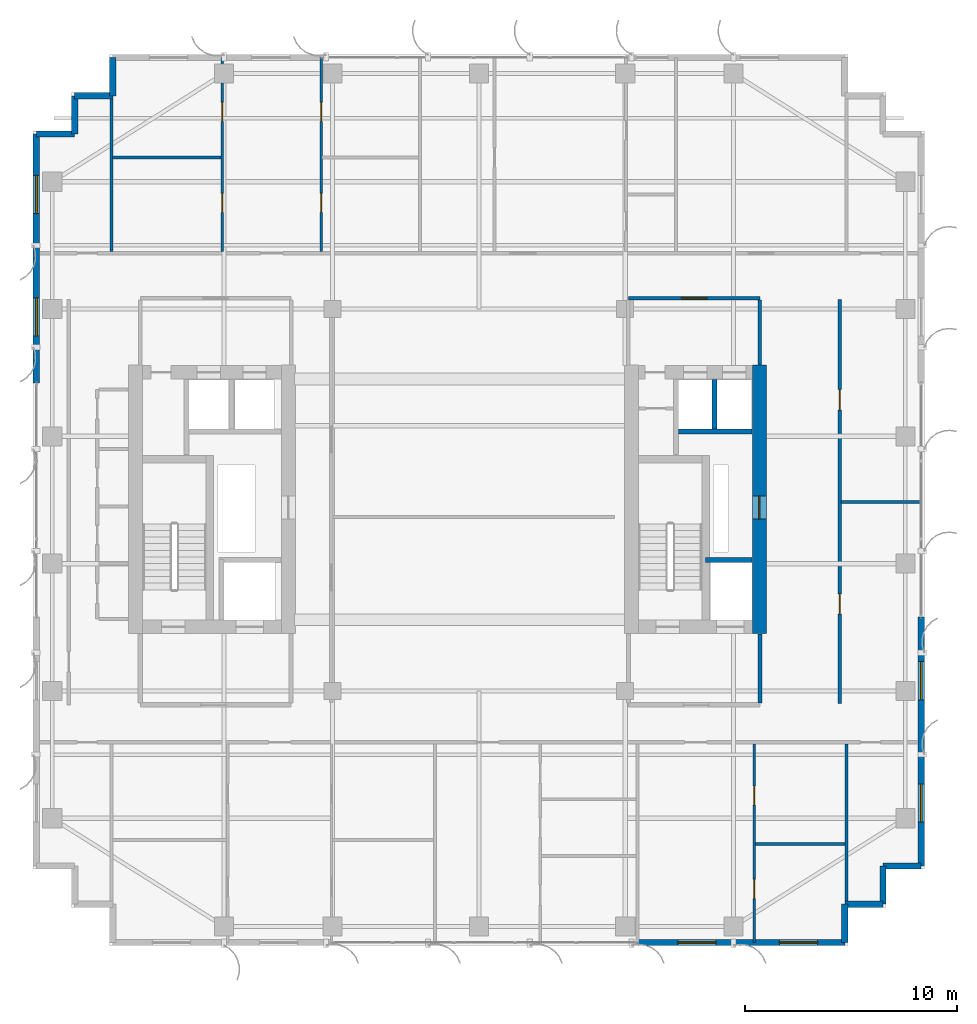
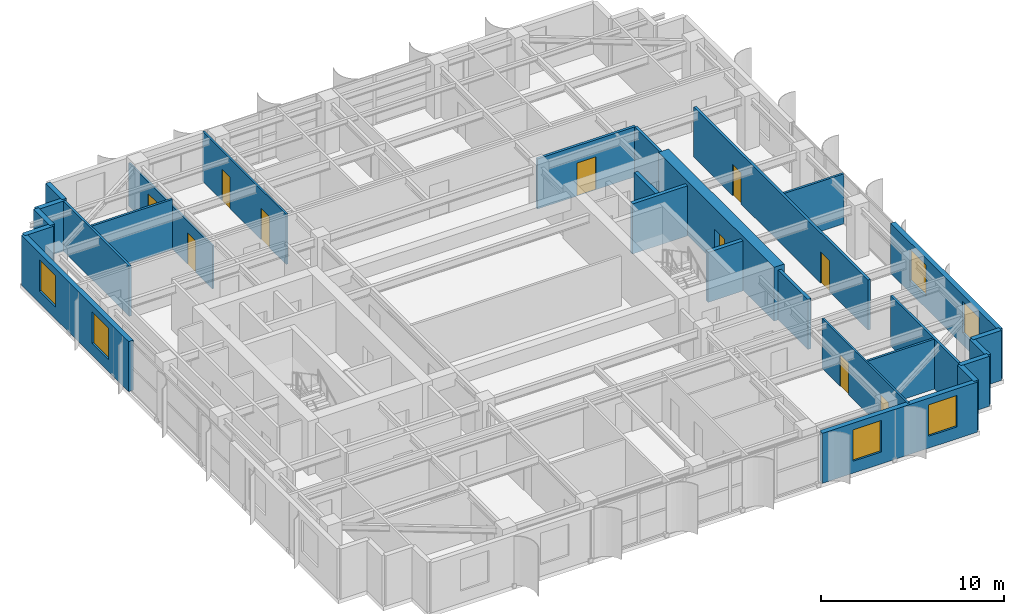
# One storey, part 21 of 25: 27 walls, 10 doors, 6 windows, 16 openings.
"""IFC4 building model written with IfcOpenShell, lengths in metres."""

from ifc_helpers import new_model, si_unit, direction, frame, frame_2d, origin, place, context, subcontext, project, spatial, rectangle, extrude, source, transform, mapped, material, layer, layer_set, type_object, element, fill, save


model = new_model("IFC4")

# Units and contexts
model_context = context("Model", 3, precision=1e-05, world=origin(), true_north=direction((0.0, 1.0)))
body_context = subcontext(model_context, "Body", "Model", "MODEL_VIEW")
ifc_project = project(units=[si_unit("LENGTHUNIT", "METRE"), si_unit("AREAUNIT", "SQUARE_METRE"), si_unit("VOLUMEUNIT", "CUBIC_METRE"), si_unit("PLANEANGLEUNIT", "RADIAN"), si_unit("MASSUNIT", "GRAM", prefix="KILO")], contexts=[model_context])

# Site, building, storey
site_placement = place(None, origin())
site = spatial("IfcSite", under=ifc_project, at=site_placement, CompositionType="ELEMENT")
building_placement = place(site_placement, origin())
building = spatial("IfcBuilding", under=site, at=building_placement, Name="Khoralis Quay Care Tower", CompositionType="ELEMENT")
storey_placement = place(building_placement, frame((0.0, 0.0, 166.5)))
storey = spatial("IfcBuildingStorey", under=building, at=storey_placement, Name="L43", CompositionType="ELEMENT", Elevation=166.5)

# Wall
ifc_material_1 = material(Name="Gypsum plasterboard on acoustic metal stud")
ifc_layer_1 = layer(ifc_material_1, 0.199951171875)
ifc_layer_set_1 = layer_set([ifc_layer_1], Name="Gypsum plasterboard on acoustic metal stud")
wall_type_1 = type_object("IfcWallType", Name="WL-COMP-200", PredefinedType="PARTITIONING", material=ifc_layer_set_1)
wall_1_placement = place(storey_placement, frame((37.25, 11.445068359375, 0.0), z_axis=(0.0, 0.0, 1.0), x_axis=(0.0, 1.0, 0.0)))
element("IfcWall", 1, at=wall_1_placement, inside=storey, type_object=wall_type_1, Name="L43 East Firefighting Lobby East Wall", PredefinedType="PARTITIONING", context=body_context, shape_type="SweptSolid", body=[
    extrude(rectangle(XDim=3.23486328125, YDim=0.199951171875, at=frame_2d((1.617431640625, 0.0))), origin(), (0.0, 0.0, 1.0), 3.340087890625),
])

# Wall, opening, door
ifc_material_2 = material(Name="Concrete C65/80", Category="concrete")
ifc_layer_2 = layer(ifc_material_2, 0.64990234375)
ifc_layer_set_2 = layer_set([ifc_layer_2], Name="Concrete C65/80")
wall_type_2 = type_object("IfcWallType", Name="WL-CORE-650", PredefinedType="SHEAR", material=ifc_layer_set_2)
wall_2_placement = place(storey_placement, frame((37.22509765625, 14.699951171875, 0.0), z_axis=(0.0, 0.0, 1.0), x_axis=(0.0, 1.0, 0.0)))
wall_2 = element("IfcWall", 2, at=wall_2_placement, inside=storey, type_object=wall_type_2, Name="L43 ECORE East Shear Wall", PredefinedType="SHEAR", context=body_context, shape_type="SweptSolid", body=[
    extrude(rectangle(XDim=12.650146484375, YDim=0.64990234375, at=frame_2d((6.3251953125, 0.0))), origin(), (0.0, 0.0, 1.0), 3.60009765625),
])
opening_1_placement = place(wall_2_placement, frame((5.39990234375, 0.0, 0.0)))
opening_1 = element("IfcOpeningElement", 3, at=opening_1_placement, cuts=wall_2, Name="Opening SD1", PredefinedType="OPENING", context=body_context, shape_type="SweptSolid", body=[
    extrude(rectangle(XDim=1.10009765625, YDim=2.199951171875, at=frame_2d((0.550048828125, 1.10009765625))), frame((0.0, 0.3349609375, 0.0), z_axis=(0.0, -1.0, 0.0), x_axis=(1.0, 0.0, 0.0)), (0.0, 0.0, 1.0), 0.669921875),
])
ifc_material_3 = material(Name="Fire-rated painted steel", Category="steel")
door_type_1 = type_object("IfcDoorType", Name="DR-STAIR-1100X2200", OperationType="NOTDEFINED", PredefinedType="DOOR", material=ifc_material_3)
shared_shape_1 = source(origin(), body_context, "Body", "SweptSolid", [
    extrude(rectangle(XDim=1.10009765625, YDim=2.199951171875, at=frame_2d((0.550048828125, 1.10009765625))), frame((0.0, 0.02490234375, 0.0), z_axis=(0.0, -1.0, 0.0), x_axis=(1.0, 0.0, 0.0)), (0.0, 0.0, 1.0), 0.050048828125),
])
door_1_placement = place(opening_1_placement, frame((1.10009765625, 0.0, 0.0), z_axis=(0.0, 0.0, 1.0), x_axis=(-1.0, 0.0, 0.0)))
door_1 = element("IfcDoor", 4, at=door_1_placement, inside=storey, type_object=door_type_1, Name="L43 East MEP Riser Door", OperationType="SINGLE_SWING_RIGHT", OverallHeight=2.199951171875, OverallWidth=1.10009765625, PredefinedType="DOOR", context=body_context, shape_type="MappedRepresentation", body=[
    mapped(shared_shape_1, transform((0.0, 0.0, 0.0), scale=1.0)),
])
fill(opening_1, door_1)

ifc_layer_3 = layer(ifc_material_1, 0.1650390625)
ifc_layer_set_3 = layer_set([ifc_layer_3], Name="Gypsum plasterboard on acoustic metal stud")
wall_type_3 = type_object("IfcWallType", Name="WL-CORR-165", PredefinedType="PARTITIONING", material=ifc_layer_set_3)
wall_3_placement = place(storey_placement, frame((31.050048828125, 30.5, 0.0), z_axis=(0.0, 0.0, 1.0), x_axis=(1.0, 0.0, 0.0)))
wall_3 = element("IfcWall", 5, at=wall_3_placement, inside=storey, type_object=wall_type_3, Name="L43 East Lift Lobby North Wall", PredefinedType="PARTITIONING", context=body_context, shape_type="SweptSolid", body=[
    extrude(rectangle(XDim=6.199951171875, YDim=0.1650390625, at=frame_2d((3.10009765625, 0.0))), origin(), (0.0, 0.0, 1.0), 3.340087890625),
])
opening_2_placement = place(wall_3_placement, frame((2.5, 0.0, 0.0)))
opening_2 = element("IfcOpeningElement", 6, at=opening_2_placement, cuts=wall_3, Name="Opening FD1", PredefinedType="OPENING", context=body_context, shape_type="SweptSolid", body=[
    extrude(rectangle(XDim=1.199951171875, YDim=2.199951171875, at=frame_2d((0.60009765625, 1.10009765625))), frame((0.0, 0.092529296875, 0.0), z_axis=(0.0, -1.0, 0.0), x_axis=(1.0, 0.0, 0.0)), (0.0, 0.0, 1.0), 0.18505859375),
])
door_type_2 = type_object("IfcDoorType", Name="DR-FFL-1200X2200", OperationType="NOTDEFINED", PredefinedType="DOOR", material=ifc_material_3)
shared_shape_2 = source(origin(), body_context, "Body", "SweptSolid", [
    extrude(rectangle(XDim=1.199951171875, YDim=2.199951171875, at=frame_2d((0.60009765625, 1.10009765625))), frame((0.0, 0.02490234375, 0.0), z_axis=(0.0, -1.0, 0.0), x_axis=(1.0, 0.0, 0.0)), (0.0, 0.0, 1.0), 0.050048828125),
])
door_2_placement = place(opening_2_placement, origin())
door_2 = element("IfcDoor", 7, at=door_2_placement, inside=storey, type_object=door_type_2, Name="L43 East Lift Lobby Double Door", OperationType="DOUBLE_DOOR_SINGLE_SWING", OverallHeight=2.199951171875, OverallWidth=1.199951171875, PredefinedType="DOOR", context=body_context, shape_type="MappedRepresentation", body=[
    mapped(shared_shape_2, transform((0.0, 0.0, 0.0), scale=1.0)),
])
fill(opening_2, door_2)

# Wall
wall_4_placement = place(storey_placement, frame((37.25, 27.3701171875, 0.0), z_axis=(0.0, 0.0, 1.0), x_axis=(0.0, 1.0, 0.0)))
element("IfcWall", 8, at=wall_4_placement, inside=storey, type_object=wall_type_3, Name="L43 East Lift Lobby East Wall", PredefinedType="PARTITIONING", context=body_context, shape_type="SweptSolid", body=[
    extrude(rectangle(XDim=3.052490234375, YDim=0.1650390625, at=frame_2d((1.5263671875, 0.0))), origin(), (0.0, 0.0, 1.0), 3.340087890625),
])

# Wall, openings, doors
wall_5_placement = place(storey_placement, frame((41.0, 11.39990234375, 0.0), z_axis=(0.0, 0.0, 1.0), x_axis=(0.0, 1.0, 0.0)))
wall_5 = element("IfcWall", 9, at=wall_5_placement, inside=storey, type_object=wall_type_3, Name="L43 East Gallery Wall", PredefinedType="PARTITIONING", context=body_context, shape_type="SweptSolid", body=[
    extrude(rectangle(XDim=19.050048828125, YDim=0.1650390625, at=frame_2d((9.52490234375, 0.0))), origin(), (0.0, 0.0, 1.0), 3.340087890625),
])
opening_3_placement = place(wall_5_placement, frame((4.22509765625, 0.0, 0.0)))
opening_3 = element("IfcOpeningElement", 10, at=opening_3_placement, cuts=wall_5, Name="Opening ID1", PredefinedType="OPENING", context=body_context, shape_type="SweptSolid", body=[
    extrude(rectangle(XDim=0.949951171875, YDim=2.10009765625, at=frame_2d((0.47509765625, 1.050048828125))), frame((0.0, 0.092529296875, 0.0), z_axis=(0.0, -1.0, 0.0), x_axis=(1.0, 0.0, 0.0)), (0.0, 0.0, 1.0), 0.18505859375),
])
opening_4_placement = place(wall_5_placement, frame((13.85009765625, 0.0, 0.0)))
opening_4 = element("IfcOpeningElement", 11, at=opening_4_placement, cuts=wall_5, Name="Opening ID1", PredefinedType="OPENING", context=body_context, shape_type="SweptSolid", body=[
    extrude(rectangle(XDim=0.949951171875, YDim=2.10009765625, at=frame_2d((0.47509765625, 1.050048828125))), frame((0.0, 0.092529296875, 0.0), z_axis=(0.0, -1.0, 0.0), x_axis=(1.0, 0.0, 0.0)), (0.0, 0.0, 1.0), 0.18505859375),
])
ifc_material_4 = material(Name="Acoustic hardwood timber", Category="wood")
door_type_3 = type_object("IfcDoorType", Name="DR-ROOM-950X2100", OperationType="NOTDEFINED", PredefinedType="DOOR", material=ifc_material_4)
shared_shape_3 = source(origin(), body_context, "Body", "SweptSolid", [
    extrude(rectangle(XDim=0.949951171875, YDim=2.10009765625, at=frame_2d((0.47509765625, 1.050048828125))), frame((0.0, 0.02490234375, 0.0), z_axis=(0.0, -1.0, 0.0), x_axis=(1.0, 0.0, 0.0)), (0.0, 0.0, 1.0), 0.050048828125),
])
door_3_placement = place(opening_3_placement, origin())
door_3 = element("IfcDoor", 12, at=door_3_placement, inside=storey, type_object=door_type_3, Name="L43 East Clinic Door", OperationType="SINGLE_SWING_LEFT", OverallHeight=2.10009765625, OverallWidth=0.949951171875, PredefinedType="DOOR", context=body_context, shape_type="MappedRepresentation", body=[
    mapped(shared_shape_3, transform((0.0, 0.0, 0.0), scale=1.0)),
])
fill(opening_3, door_3)
door_4_placement = place(opening_4_placement, origin())
door_4 = element("IfcDoor", 13, at=door_4_placement, inside=storey, type_object=door_type_3, Name="L43 East Lounge Door", OperationType="SINGLE_SWING_RIGHT", OverallHeight=2.10009765625, OverallWidth=0.949951171875, PredefinedType="DOOR", context=body_context, shape_type="MappedRepresentation", body=[
    mapped(shared_shape_3, transform((0.0, 0.0, 0.0), scale=1.0)),
])
fill(opening_4, door_4)

# Wall, openings, windows
ifc_material_5 = material(Name="Precast concrete C45/55", Category="concrete")
ifc_layer_4 = layer(ifc_material_5, 0.300048828125)
ifc_layer_set_4 = layer_set([ifc_layer_4], Name="Precast concrete C45/55")
wall_type_4 = type_object("IfcWallType", Name="WL-EXT-REF-300", PredefinedType="SOLIDWALL", material=ifc_layer_set_4)
wall_6_placement = place(storey_placement, frame((31.469970703125, 0.14990234375, 0.0), z_axis=(0.0, 0.0, 1.0), x_axis=(1.0, 0.0, 0.0)))
wall_6 = element("IfcWall", 14, at=wall_6_placement, inside=storey, type_object=wall_type_4, Name="L43 External Facade Wall WL-EXT-L43-P1-E0B", PredefinedType="SOLIDWALL", context=body_context, shape_type="SweptSolid", body=[
    extrude(rectangle(XDim=9.780029296875, YDim=0.300048828125, at=frame_2d((4.89013671875, 0.0))), origin(), (0.0, 0.0, 1.0), 3.340087890625),
])
opening_5_placement = place(wall_6_placement, frame((1.907958984375, 0.0, 0.800048828125)))
opening_5 = element("IfcOpeningElement", 15, at=opening_5_placement, cuts=wall_6, Name="Opening W2", PredefinedType="OPENING", context=body_context, shape_type="SweptSolid", body=[
    extrude(rectangle(XDim=1.800048828125, YDim=2.10009765625, at=frame_2d((0.89990234375, 1.050048828125))), frame((0.0, 0.16015625, 0.0), z_axis=(0.0, -1.0, 0.0), x_axis=(1.0, 0.0, 0.0)), (0.0, 0.0, 1.0), 0.320068359375),
])
opening_6_placement = place(wall_6_placement, frame((6.697998046875, 0.0, 0.800048828125)))
opening_6 = element("IfcOpeningElement", 16, at=opening_6_placement, cuts=wall_6, Name="Opening W2", PredefinedType="OPENING", context=body_context, shape_type="SweptSolid", body=[
    extrude(rectangle(XDim=1.800048828125, YDim=2.10009765625, at=frame_2d((0.89990234375, 1.050048828125))), frame((0.0, 0.16015625, 0.0), z_axis=(0.0, -1.0, 0.0), x_axis=(1.0, 0.0, 0.0)), (0.0, 0.0, 1.0), 0.320068359375),
])
ifc_material_6 = material(Name="Low-E solar-control double glazing", Category="glass")
window_type = type_object("IfcWindowType", Name="WN-POD-1800X2100", PartitioningType="SINGLE_PANEL", PredefinedType="WINDOW", material=ifc_material_6)
shared_shape_4 = source(origin(), body_context, "Body", "SweptSolid", [
    extrude(rectangle(XDim=1.800048828125, YDim=2.10009765625, at=frame_2d((0.89990234375, 1.050048828125))), frame((0.0, 0.030029296875, 0.0), z_axis=(0.0, -1.0, 0.0), x_axis=(1.0, 0.0, 0.0)), (0.0, 0.0, 1.0), 0.06005859375),
])
window_1_placement = place(opening_5_placement, origin())
window_1 = element("IfcWindow", 17, at=window_1_placement, inside=storey, type_object=window_type, Name="WN-L43-P1-E0B Facade Window 01", OverallHeight=2.10009765625, OverallWidth=1.800048828125, PartitioningType="SINGLE_PANEL", PredefinedType="WINDOW", context=body_context, shape_type="MappedRepresentation", body=[
    mapped(shared_shape_4, transform((0.0, 0.0, 0.0), scale=1.0)),
])
fill(opening_5, window_1)
window_2_placement = place(opening_6_placement, origin())
window_2 = element("IfcWindow", 18, at=window_2_placement, inside=storey, type_object=window_type, Name="WN-L43-P1-E0B Facade Window 02", OverallHeight=2.10009765625, OverallWidth=1.800048828125, PartitioningType="SINGLE_PANEL", PredefinedType="WINDOW", context=body_context, shape_type="MappedRepresentation", body=[
    mapped(shared_shape_4, transform((0.0, 0.0, 0.0), scale=1.0)),
])
fill(opening_6, window_2)

# Walls
for number, where, z_axis, x_axis, name in (
    (19, (41.25, 0.14990234375, 0.0), (0.0, 0.0, 1.0), (0.0, 1.0, 0.0), "L43 External Facade Wall WL-EXT-L43-P1-C1"),
    (20, (41.25, 1.949951171875, 0.0), (0.0, 0.0, 1.0), (1.0, 0.0, 0.0), "L43 External Facade Wall WL-EXT-L43-P1-C2"),
    (21, (43.050048828125, 1.949951171875, 0.0), (0.0, 0.0, 1.0), (0.0, 1.0, 0.0), "L43 External Facade Wall WL-EXT-L43-P1-C3"),
    (22, (43.050048828125, 3.75, 0.0), (0.0, 0.0, 1.0), (1.0, 0.0, 0.0), "L43 External Facade Wall WL-EXT-L43-P1-C4"),
):
    element("IfcWall", number, at=place(storey_placement, frame(where, z_axis=z_axis, x_axis=x_axis)), inside=storey, type_object=wall_type_4, Name=name, PredefinedType="SOLIDWALL", context=body_context, shape_type="SweptSolid", body=[
        extrude(rectangle(XDim=1.800048828125, YDim=0.300048828125, at=frame_2d((0.89990234375, 0.0))), origin(), (0.0, 0.0, 1.0), 3.340087890625),
    ])

# Wall, openings, windows
wall_7_placement = place(storey_placement, frame((44.85009765625, 3.75, 0.0), z_axis=(0.0, 0.0, 1.0), x_axis=(0.0, 1.0, 0.0)))
wall_7 = element("IfcWall", 23, at=wall_7_placement, inside=storey, type_object=wall_type_4, Name="L43 External Facade Wall WL-EXT-L43-P1-E5A", PredefinedType="SOLIDWALL", context=body_context, shape_type="SweptSolid", body=[
    extrude(rectangle(XDim=11.72998046875, YDim=0.300048828125, at=frame_2d((5.864990234375, 0.0))), origin(), (0.0, 0.0, 1.0), 3.340087890625),
])
opening_7_placement = place(wall_7_placement, frame((2.06494140625, 0.0, 0.800048828125)))
opening_7 = element("IfcOpeningElement", 24, at=opening_7_placement, cuts=wall_7, Name="Opening W2", PredefinedType="OPENING", context=body_context, shape_type="SweptSolid", body=[
    extrude(rectangle(XDim=1.800048828125, YDim=2.10009765625, at=frame_2d((0.89990234375, 1.050048828125))), frame((0.0, 0.16015625, 0.0), z_axis=(0.0, -1.0, 0.0), x_axis=(1.0, 0.0, 0.0)), (0.0, 0.0, 1.0), 0.320068359375),
])
opening_8_placement = place(wall_7_placement, frame((7.830078125, 0.0, 0.800048828125)))
opening_8 = element("IfcOpeningElement", 25, at=opening_8_placement, cuts=wall_7, Name="Opening W2", PredefinedType="OPENING", context=body_context, shape_type="SweptSolid", body=[
    extrude(rectangle(XDim=1.800048828125, YDim=2.10009765625, at=frame_2d((0.89990234375, 1.050048828125))), frame((0.0, 0.16015625, 0.0), z_axis=(0.0, -1.0, 0.0), x_axis=(1.0, 0.0, 0.0)), (0.0, 0.0, 1.0), 0.320068359375),
])
window_3_placement = place(opening_7_placement, origin())
window_3 = element("IfcWindow", 26, at=window_3_placement, inside=storey, type_object=window_type, Name="WN-L43-P1-E5A Facade Window 01", OverallHeight=2.10009765625, OverallWidth=1.800048828125, PartitioningType="SINGLE_PANEL", PredefinedType="WINDOW", context=body_context, shape_type="MappedRepresentation", body=[
    mapped(shared_shape_4, transform((0.0, 0.0, 0.0), scale=1.0)),
])
fill(opening_7, window_3)
window_4_placement = place(opening_8_placement, origin())
window_4 = element("IfcWindow", 27, at=window_4_placement, inside=storey, type_object=window_type, Name="WN-L43-P1-E5A Facade Window 02", OverallHeight=2.10009765625, OverallWidth=1.800048828125, PartitioningType="SINGLE_PANEL", PredefinedType="WINDOW", context=body_context, shape_type="MappedRepresentation", body=[
    mapped(shared_shape_4, transform((0.0, 0.0, 0.0), scale=1.0)),
])
fill(opening_8, window_4)

# Walls
for number, where, z_axis, x_axis, name in (
    (28, (6.75, 41.85009765625, 0.0), (0.0, 0.0, 1.0), (0.0, -1.0, 0.0), "L43 External Facade Wall WL-EXT-L43-P1-C11"),
    (29, (6.75, 40.050048828125, 0.0), (0.0, 0.0, 1.0), (-1.0, 0.0, 0.0), "L43 External Facade Wall WL-EXT-L43-P1-C12"),
    (30, (4.949951171875, 40.050048828125, 0.0), (0.0, 0.0, 1.0), (0.0, -1.0, 0.0), "L43 External Facade Wall WL-EXT-L43-P1-C13"),
    (31, (4.949951171875, 38.25, 0.0), (0.0, 0.0, 1.0), (-1.0, 0.0, 0.0), "L43 External Facade Wall WL-EXT-L43-P1-C14"),
):
    element("IfcWall", number, at=place(storey_placement, frame(where, z_axis=z_axis, x_axis=x_axis)), inside=storey, type_object=wall_type_4, Name=name, PredefinedType="SOLIDWALL", context=body_context, shape_type="SweptSolid", body=[
        extrude(rectangle(XDim=1.800048828125, YDim=0.300048828125, at=frame_2d((0.89990234375, 0.0))), origin(), (0.0, 0.0, 1.0), 3.340087890625),
    ])

# Wall, openings, windows
wall_8_placement = place(storey_placement, frame((3.14990234375, 38.25, 0.0), z_axis=(0.0, 0.0, 1.0), x_axis=(0.0, -1.0, 0.0)))
wall_8 = element("IfcWall", 32, at=wall_8_placement, inside=storey, type_object=wall_type_4, Name="L43 External Facade Wall WL-EXT-L43-P1-E15A", PredefinedType="SOLIDWALL", context=body_context, shape_type="SweptSolid", body=[
    extrude(rectangle(XDim=11.72998046875, YDim=0.300048828125, at=frame_2d((5.864990234375, 0.0))), origin(), (0.0, 0.0, 1.0), 3.340087890625),
])
opening_9_placement = place(wall_8_placement, frame((1.955078125, 0.0, 0.800048828125)))
opening_9 = element("IfcOpeningElement", 33, at=opening_9_placement, cuts=wall_8, Name="Opening W2", PredefinedType="OPENING", context=body_context, shape_type="SweptSolid", body=[
    extrude(rectangle(XDim=1.800048828125, YDim=2.10009765625, at=frame_2d((0.89990234375, 1.050048828125))), frame((0.0, 0.16015625, 0.0), z_axis=(0.0, -1.0, 0.0), x_axis=(1.0, 0.0, 0.0)), (0.0, 0.0, 1.0), 0.320068359375),
])
opening_10_placement = place(wall_8_placement, frame((7.719970703125, 0.0, 0.800048828125)))
opening_10 = element("IfcOpeningElement", 34, at=opening_10_placement, cuts=wall_8, Name="Opening W2", PredefinedType="OPENING", context=body_context, shape_type="SweptSolid", body=[
    extrude(rectangle(XDim=1.800048828125, YDim=2.10009765625, at=frame_2d((0.89990234375, 1.050048828125))), frame((0.0, 0.16015625, 0.0), z_axis=(0.0, -1.0, 0.0), x_axis=(1.0, 0.0, 0.0)), (0.0, 0.0, 1.0), 0.320068359375),
])
window_5_placement = place(opening_9_placement, origin())
window_5 = element("IfcWindow", 35, at=window_5_placement, inside=storey, type_object=window_type, Name="WN-L43-P1-E15A Facade Window 01", OverallHeight=2.10009765625, OverallWidth=1.800048828125, PartitioningType="SINGLE_PANEL", PredefinedType="WINDOW", context=body_context, shape_type="MappedRepresentation", body=[
    mapped(shared_shape_4, transform((0.0, 0.0, 0.0), scale=1.0)),
])
fill(opening_9, window_5)
window_6_placement = place(opening_10_placement, origin())
window_6 = element("IfcWindow", 36, at=window_6_placement, inside=storey, type_object=window_type, Name="WN-L43-P1-E15A Facade Window 02", OverallHeight=2.10009765625, OverallWidth=1.800048828125, PartitioningType="SINGLE_PANEL", PredefinedType="WINDOW", context=body_context, shape_type="MappedRepresentation", body=[
    mapped(shared_shape_4, transform((0.0, 0.0, 0.0), scale=1.0)),
])
fill(opening_10, window_6)

# Wall, openings, doors
ifc_layer_5 = layer(ifc_material_1, 0.114990234375)
ifc_layer_set_5 = layer_set([ifc_layer_5], Name="Gypsum plasterboard on acoustic metal stud")
wall_type_5 = type_object("IfcWallType", Name="WL-PART-115", PredefinedType="PARTITIONING", material=ifc_layer_set_5)
wall_9_placement = place(storey_placement, frame((36.986083984375, 0.14501953125, 0.0), z_axis=(0.0, 0.0, 1.0), x_axis=(0.0, 1.0, 0.0)))
wall_9 = element("IfcWall", 37, at=wall_9_placement, inside=storey, type_object=wall_type_5, Name="L43 Studio 2 Internal Wall", PredefinedType="PARTITIONING", context=body_context, shape_type="SweptSolid", body=[
    extrude(rectangle(XDim=9.357421875, YDim=0.114990234375, at=frame_2d((4.6787109375, 0.0))), origin(), (0.0, 0.0, 1.0), 3.340087890625),
])
opening_11_placement = place(wall_9_placement, frame((2.074951171875, 0.0, 0.0)))
opening_11 = element("IfcOpeningElement", 38, at=opening_11_placement, cuts=wall_9, Name="Opening WD1", PredefinedType="OPENING", context=body_context, shape_type="SweptSolid", body=[
    extrude(rectangle(XDim=0.89990234375, YDim=2.10009765625, at=frame_2d((0.449951171875, 1.050048828125))), frame((0.0, 0.0673828125, 0.0), z_axis=(0.0, -1.0, 0.0), x_axis=(1.0, 0.0, 0.0)), (0.0, 0.0, 1.0), 0.135009765625),
])
opening_12_placement = place(wall_9_placement, frame((6.47509765625, 0.0, 0.0)))
opening_12 = element("IfcOpeningElement", 39, at=opening_12_placement, cuts=wall_9, Name="Opening WD1", PredefinedType="OPENING", context=body_context, shape_type="SweptSolid", body=[
    extrude(rectangle(XDim=0.89990234375, YDim=2.10009765625, at=frame_2d((0.449951171875, 1.050048828125))), frame((0.0, 0.0673828125, 0.0), z_axis=(0.0, -1.0, 0.0), x_axis=(1.0, 0.0, 0.0)), (0.0, 0.0, 1.0), 0.135009765625),
])
door_type_4 = type_object("IfcDoorType", Name="DR-BATH-900X2100", OperationType="NOTDEFINED", PredefinedType="DOOR", material=ifc_material_4)
shared_shape_5 = source(origin(), body_context, "Body", "SweptSolid", [
    extrude(rectangle(XDim=0.89990234375, YDim=2.10009765625, at=frame_2d((0.449951171875, 1.050048828125))), frame((0.0, 0.02490234375, 0.0), z_axis=(0.0, -1.0, 0.0), x_axis=(1.0, 0.0, 0.0)), (0.0, 0.0, 1.0), 0.050048828125),
])
door_5_placement = place(opening_11_placement, frame((0.89990234375, 0.0, 0.0), z_axis=(0.0, 0.0, 1.0), x_axis=(-1.0, 0.0, 0.0)))
door_5 = element("IfcDoor", 40, at=door_5_placement, inside=storey, type_object=door_type_4, Name="L43 Studio SKT Door", OperationType="SINGLE_SWING_RIGHT", OverallHeight=2.10009765625, OverallWidth=0.89990234375, PredefinedType="DOOR", context=body_context, shape_type="MappedRepresentation", body=[
    mapped(shared_shape_5, transform((0.0, 0.0, 0.0), scale=1.0)),
])
fill(opening_11, door_5)
door_6_placement = place(opening_12_placement, frame((0.89990234375, 0.0, 0.0), z_axis=(0.0, 0.0, 1.0), x_axis=(-1.0, 0.0, 0.0)))
door_6 = element("IfcDoor", 41, at=door_6_placement, inside=storey, type_object=door_type_4, Name="L43 Studio SBH Door", OperationType="SINGLE_SWING_LEFT", OverallHeight=2.10009765625, OverallWidth=0.89990234375, PredefinedType="DOOR", context=body_context, shape_type="MappedRepresentation", body=[
    mapped(shared_shape_5, transform((0.0, 0.0, 0.0), scale=1.0)),
])
fill(opening_12, door_6)

wall_10_placement = place(storey_placement, frame((11.9140625, 32.717529296875, 0.0), z_axis=(0.0, 0.0, 1.0), x_axis=(0.0, 1.0, 0.0)))
wall_10 = element("IfcWall", 42, at=wall_10_placement, inside=storey, type_object=wall_type_5, Name="L43 2BR 0 Left Wall", PredefinedType="PARTITIONING", context=body_context, shape_type="SweptSolid", body=[
    extrude(rectangle(XDim=9.137451171875, YDim=0.114990234375, at=frame_2d((4.56884765625, 0.0))), origin(), (0.0, 0.0, 1.0), 2.876953125),
])
opening_13_placement = place(wall_10_placement, frame((6.1240234375, 0.0, 0.0)))
opening_13 = element("IfcOpeningElement", 43, at=opening_13_placement, cuts=wall_10, Name="Opening WD1", PredefinedType="OPENING", context=body_context, shape_type="SweptSolid", body=[
    extrude(rectangle(XDim=0.89990234375, YDim=2.10009765625, at=frame_2d((0.449951171875, 1.050048828125))), frame((0.0, 0.0673828125, 0.0), z_axis=(0.0, -1.0, 0.0), x_axis=(1.0, 0.0, 0.0)), (0.0, 0.0, 1.0), 0.135009765625),
])
opening_14_placement = place(wall_10_placement, frame((1.833984375, 0.0, 0.0)))
opening_14 = element("IfcOpeningElement", 44, at=opening_14_placement, cuts=wall_10, Name="Opening WD1", PredefinedType="OPENING", context=body_context, shape_type="SweptSolid", body=[
    extrude(rectangle(XDim=0.89990234375, YDim=2.10009765625, at=frame_2d((0.449951171875, 1.050048828125))), frame((0.0, 0.0673828125, 0.0), z_axis=(0.0, -1.0, 0.0), x_axis=(1.0, 0.0, 0.0)), (0.0, 0.0, 1.0), 0.135009765625),
])
door_7_placement = place(opening_13_placement, origin())
door_7 = element("IfcDoor", 45, at=door_7_placement, inside=storey, type_object=door_type_4, Name="L43 2BR BD1 Door", OperationType="SINGLE_SWING_RIGHT", OverallHeight=2.10009765625, OverallWidth=0.89990234375, PredefinedType="DOOR", context=body_context, shape_type="MappedRepresentation", body=[
    mapped(shared_shape_5, transform((0.0, 0.0, 0.0), scale=1.0)),
])
fill(opening_13, door_7)
door_8_placement = place(opening_14_placement, origin())
door_8 = element("IfcDoor", 46, at=door_8_placement, inside=storey, type_object=door_type_4, Name="L43 2BR BTH Door", OperationType="SINGLE_SWING_LEFT", OverallHeight=2.10009765625, OverallWidth=0.89990234375, PredefinedType="DOOR", context=body_context, shape_type="MappedRepresentation", body=[
    mapped(shared_shape_5, transform((0.0, 0.0, 0.0), scale=1.0)),
])
fill(opening_14, door_8)

wall_11_placement = place(storey_placement, frame((16.56689453125, 32.717529296875, 0.0), z_axis=(0.0, 0.0, 1.0), x_axis=(0.0, 1.0, 0.0)))
wall_11 = element("IfcWall", 47, at=wall_11_placement, inside=storey, type_object=wall_type_5, Name="L43 2BR 0 Right Wall", PredefinedType="PARTITIONING", context=body_context, shape_type="SweptSolid", body=[
    extrude(rectangle(XDim=9.137451171875, YDim=0.114990234375, at=frame_2d((4.56884765625, 0.0))), origin(), (0.0, 0.0, 1.0), 3.340087890625),
])
opening_15_placement = place(wall_11_placement, frame((6.1240234375, 0.0, 0.0)))
opening_15 = element("IfcOpeningElement", 48, at=opening_15_placement, cuts=wall_11, Name="Opening WD1", PredefinedType="OPENING", context=body_context, shape_type="SweptSolid", body=[
    extrude(rectangle(XDim=0.89990234375, YDim=2.10009765625, at=frame_2d((0.449951171875, 1.050048828125))), frame((0.0, 0.0673828125, 0.0), z_axis=(0.0, -1.0, 0.0), x_axis=(1.0, 0.0, 0.0)), (0.0, 0.0, 1.0), 0.135009765625),
])
opening_16_placement = place(wall_11_placement, frame((1.833984375, 0.0, 0.0)))
opening_16 = element("IfcOpeningElement", 49, at=opening_16_placement, cuts=wall_11, Name="Opening WD1", PredefinedType="OPENING", context=body_context, shape_type="SweptSolid", body=[
    extrude(rectangle(XDim=0.89990234375, YDim=2.10009765625, at=frame_2d((0.449951171875, 1.050048828125))), frame((0.0, 0.0673828125, 0.0), z_axis=(0.0, -1.0, 0.0), x_axis=(1.0, 0.0, 0.0)), (0.0, 0.0, 1.0), 0.135009765625),
])
door_9_placement = place(opening_15_placement, frame((0.89990234375, 0.0, 0.0), z_axis=(0.0, 0.0, 1.0), x_axis=(-1.0, 0.0, 0.0)))
door_9 = element("IfcDoor", 50, at=door_9_placement, inside=storey, type_object=door_type_4, Name="L43 2BR BD2 Door", OperationType="SINGLE_SWING_RIGHT", OverallHeight=2.10009765625, OverallWidth=0.89990234375, PredefinedType="DOOR", context=body_context, shape_type="MappedRepresentation", body=[
    mapped(shared_shape_5, transform((0.0, 0.0, 0.0), scale=1.0)),
])
fill(opening_15, door_9)
door_10_placement = place(opening_16_placement, frame((0.89990234375, 0.0, 0.0), z_axis=(0.0, 0.0, 1.0), x_axis=(-1.0, 0.0, 0.0)))
door_10 = element("IfcDoor", 51, at=door_10_placement, inside=storey, type_object=door_type_4, Name="L43 2BR KIT Door", OperationType="SINGLE_SWING_LEFT", OverallHeight=2.10009765625, OverallWidth=0.89990234375, PredefinedType="DOOR", context=body_context, shape_type="MappedRepresentation", body=[
    mapped(shared_shape_5, transform((0.0, 0.0, 0.0), scale=1.0)),
])
fill(opening_16, door_10)

# Walls
ifc_material_7 = material(Name="Moisture-resistant gypsum and ceramic tile")
ifc_layer_6 = layer(ifc_material_7, 0.280029296875)
ifc_layer_set_6 = layer_set([ifc_layer_6], Name="Moisture-resistant gypsum and ceramic tile")
wall_type_6 = type_object("IfcWallType", Name="WL-PLUMB-280", PredefinedType="PLUMBINGWALL", material=ifc_layer_set_6)
wall_12_placement = place(storey_placement, frame((37.03857421875, 4.7900390625, 0.0), z_axis=(0.0, 0.0, 1.0), x_axis=(1.0, 0.0, 0.0)))
element("IfcWall", 52, at=wall_12_placement, inside=storey, type_object=wall_type_6, Name="L43 Studio 2 Wet Split", PredefinedType="PLUMBINGWALL", context=body_context, shape_type="SweptSolid", body=[
    extrude(rectangle(XDim=4.21630859375, YDim=0.139892578125, at=frame_2d((2.108154296875, 0.0))), origin(), (0.0, 0.0, 1.0), 3.340087890625),
])
wall_13_placement = place(storey_placement, frame((6.7451171875, 37.133056640625, 0.0), z_axis=(0.0, 0.0, 1.0), x_axis=(1.0, 0.0, 0.0)))
element("IfcWall", 53, at=wall_13_placement, inside=storey, type_object=wall_type_6, Name="L43 2BR 0 Left Split", PredefinedType="PLUMBINGWALL", context=body_context, shape_type="SweptSolid", body=[
    extrude(rectangle(XDim=5.116455078125, YDim=0.139892578125, at=frame_2d((2.55810546875, 0.0))), origin(), (0.0, 0.0, 1.0), 3.340087890625),
])
ifc_layer_7 = layer(ifc_material_1, 0.239990234375)
ifc_layer_set_7 = layer_set([ifc_layer_7], Name="Gypsum plasterboard on acoustic metal stud")
wall_type_7 = type_object("IfcWallType", Name="WL-SHAFT-240", PredefinedType="PARTITIONING", material=ifc_layer_set_7)
wall_14_placement = place(storey_placement, frame((34.679931640625, 18.169921875, 0.0), z_axis=(0.0, 0.0, 1.0), x_axis=(1.0, 0.0, 0.0)))
element("IfcWall", 54, at=wall_14_placement, inside=storey, type_object=wall_type_7, Name="L43 FFL-2 Shaft Wall North", PredefinedType="PARTITIONING", context=body_context, shape_type="SweptSolid", body=[
    extrude(rectangle(XDim=2.199951171875, YDim=0.239990234375, at=frame_2d((1.10009765625, 0.0))), origin(), (0.0, 0.0, 1.0), 3.340087890625),
])
wall_15_placement = place(storey_placement, frame((33.405029296875, 24.22998046875, 0.0), z_axis=(0.0, 0.0, 1.0), x_axis=(1.0, 0.0, 0.0)))
element("IfcWall", 55, at=wall_15_placement, inside=storey, type_object=wall_type_7, Name="L43 Active Shaft South Wall East", PredefinedType="PARTITIONING", context=body_context, shape_type="SweptSolid", body=[
    extrude(rectangle(XDim=3.474853515625, YDim=0.239990234375, at=frame_2d((1.7373046875, 0.0))), origin(), (0.0, 0.0, 1.0), 3.340087890625),
])
wall_16_placement = place(storey_placement, frame((35.110107421875, 24.344970703125, 0.0), z_axis=(0.0, 0.0, 1.0), x_axis=(0.0, 1.0, 0.0)))
element("IfcWall", 56, at=wall_16_placement, inside=storey, type_object=wall_type_7, Name="L43 East Shaft Divider 2", PredefinedType="PARTITIONING", context=body_context, shape_type="SweptSolid", body=[
    extrude(rectangle(XDim=2.3349609375, YDim=0.239990234375, at=frame_2d((1.16748046875, 0.0))), origin(), (0.0, 0.0, 1.0), 3.340087890625),
])
ifc_layer_8 = layer(ifc_material_1, 0.139892578125)
ifc_layer_set_8 = layer_set([ifc_layer_8], Name="Gypsum plasterboard on acoustic metal stud")
wall_type_8 = type_object("IfcWallType", Name="WL-UNIT-140", PredefinedType="PARTITIONING", material=ifc_layer_set_8)
wall_17_placement = place(storey_placement, frame((41.077392578125, 20.89990234375, 0.0), z_axis=(0.0, 0.0, 1.0), x_axis=(1.0, 0.0, 0.0)))
element("IfcWall", 57, at=wall_17_placement, inside=storey, type_object=wall_type_8, Name="L43 East Mid Split", PredefinedType="PARTITIONING", context=body_context, shape_type="SweptSolid", body=[
    extrude(rectangle(XDim=3.777587890625, YDim=0.139892578125, at=frame_2d((1.888671875, 0.0))), origin(), (0.0, 0.0, 1.0), 3.340087890625),
])
wall_18_placement = place(storey_placement, frame((41.320068359375, 1.945068359375, 0.0), z_axis=(0.0, 0.0, 1.0), x_axis=(0.0, 1.0, 0.0)))
element("IfcWall", 58, at=wall_18_placement, inside=storey, type_object=wall_type_8, Name="L43 SB Demising Wall 3", PredefinedType="PARTITIONING", context=body_context, shape_type="SweptSolid", body=[
    extrude(rectangle(XDim=7.557373046875, YDim=0.139892578125, at=frame_2d((3.77880859375, 0.0))), origin(), (0.0, 0.0, 1.0), 3.340087890625),
])
wall_19_placement = place(storey_placement, frame((6.679931640625, 32.717529296875, 0.0), z_axis=(0.0, 0.0, 1.0), x_axis=(0.0, 1.0, 0.0)))
element("IfcWall", 59, at=wall_19_placement, inside=storey, type_object=wall_type_8, Name="L43 NB Demising Wall 0", PredefinedType="PARTITIONING", context=body_context, shape_type="SweptSolid", body=[
    extrude(rectangle(XDim=7.33740234375, YDim=0.139892578125, at=frame_2d((3.668701171875, 0.0))), origin(), (0.0, 0.0, 1.0), 3.340087890625),
])

save(model, "model.ifc")
